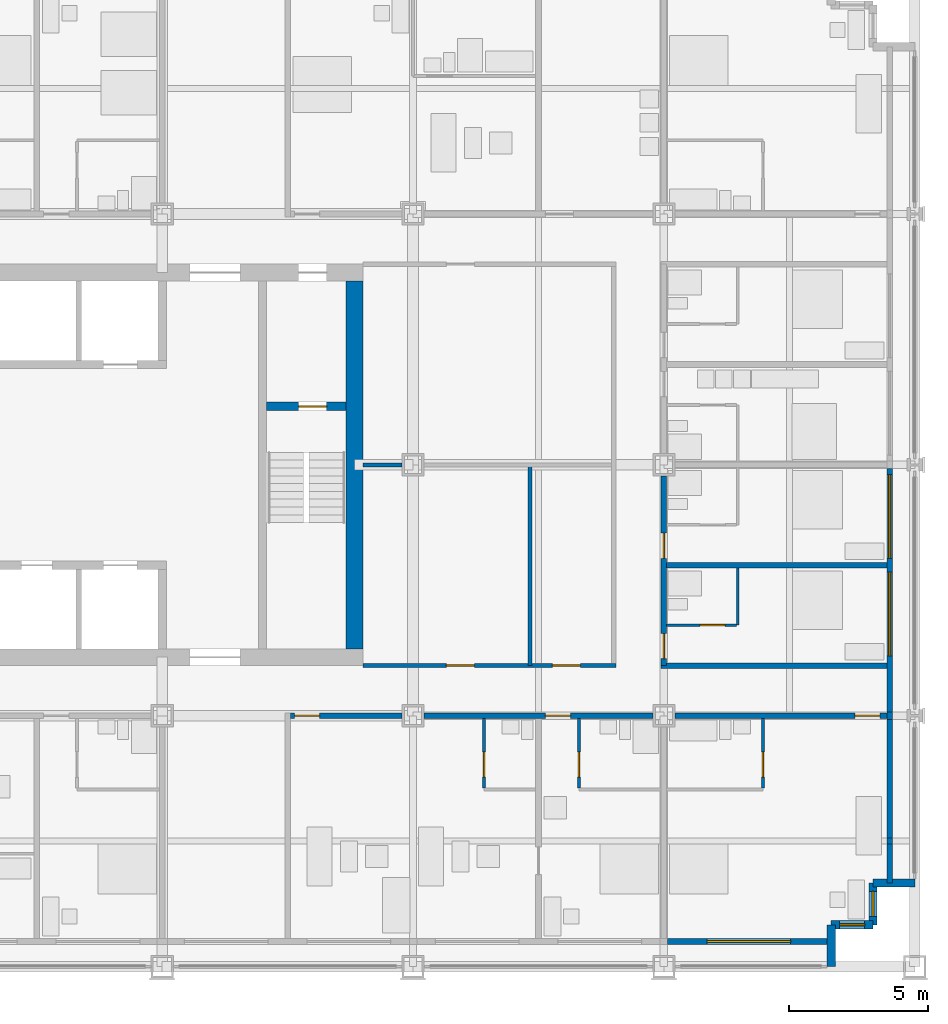
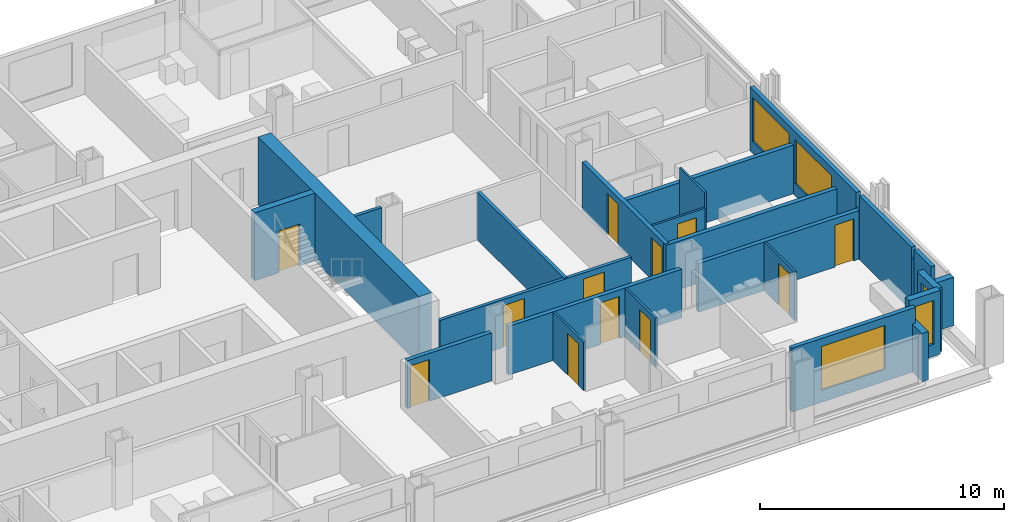
# One storey, part 13 of 18: 26 walls, 12 doors, 5 windows, 17 openings.
"""IFC4 building model written with IfcOpenShell, lengths in metres."""

import ifcopenshell
import ifcopenshell.guid

model = None  # the IFC model being written
_history = None  # IfcOwnerHistory: only IFC2X3 demands one
_inside = {}  # id of a spatial element -> (the spatial element, [elements in it])
_under = {}  # id of a project, library or spatial element -> (it, [spatial elements below it])
_declared = {}  # id of a project -> (the project, [libraries it declares])
_typed = {}  # id of a type object -> (the type object, [elements of that type])
_made_of = {}  # id of a material, layer set ... -> (it, [elements and type objects made of it])


def new_model(schema):
    """Start an empty IFC model of exactly this schema.

    Asked for "IFC4X3", IfcOpenShell would pick the latest addendum, in which some entities
    have other attributes; the version numbers below select the first issue.
    IFC2X3 requires an IfcOwnerHistory on every rooted entity: one is made here for all.
    """
    global model, _history
    if schema == "IFC4X3":
        model = ifcopenshell.file(schema_version=(4, 3, 0, 0))
    else:
        model = ifcopenshell.file(schema=schema)
    _inside.clear()
    _under.clear()
    _declared.clear()
    _typed.clear()
    _made_of.clear()
    _history = None
    if model.schema == "IFC2X3":
        org = make("IfcOrganization", Name="unknown")
        user = make(
            "IfcPersonAndOrganization",
            ThePerson=make("IfcPerson", FamilyName="unknown"),
            TheOrganization=org,
        )
        app = make(
            "IfcApplication",
            ApplicationDeveloper=org,
            Version="unknown",
            ApplicationFullName="unknown",
            ApplicationIdentifier="unknown",
        )
        _history = make(
            "IfcOwnerHistory",
            OwningUser=user,
            OwningApplication=app,
            ChangeAction="ADDED",
            CreationDate=0,
        )
    return model


def make(cls, **values):
    """One entity of the class cls with the attributes given. An attribute that is None is left unset."""
    return model.create_entity(
        cls, **{name: value for name, value in values.items() if value is not None}
    )


def rooted(cls, **values):
    """An entity with a GlobalId (a new one), such as an element, a storey or a relation."""
    return make(cls, GlobalId=ifcopenshell.guid.new(), OwnerHistory=_history, **values)


def si_unit(unit_type, name, prefix=None):
    """IfcSIUnit, for example si_unit("LENGTHUNIT", "METRE", prefix="MILLI")."""
    return make("IfcSIUnit", UnitType=unit_type, Prefix=prefix, Name=name)


def assignment(units):
    """IfcUnitAssignment: the units of a project."""
    return None if units is None else make("IfcUnitAssignment", Units=units)


def point(xyz):
    """IfcCartesianPoint."""
    return None if xyz is None else make("IfcCartesianPoint", Coordinates=xyz)


def direction(xyz):
    """IfcDirection."""
    return None if xyz is None else make("IfcDirection", DirectionRatios=xyz)


def frame(location, z_axis=None, x_axis=None):
    """IfcAxis2Placement3D, a coordinate frame: its origin and axes. An axis left out is left unset."""
    return make(
        "IfcAxis2Placement3D",
        Location=point(location),
        Axis=direction(z_axis),
        RefDirection=direction(x_axis),
    )


def frame_2d(location, x_axis=None):
    """IfcAxis2Placement2D, a coordinate frame in the plane: its origin and x axis."""
    return make(
        "IfcAxis2Placement2D", Location=point(location), RefDirection=direction(x_axis)
    )


def origin():
    """The frame at (0, 0, 0) with its axes left unset."""
    return frame((0.0, 0.0, 0.0))


def place(relative_to, where):
    """IfcLocalPlacement: puts the frame where relative to a parent placement (None: the world)."""
    return make(
        "IfcLocalPlacement", PlacementRelTo=relative_to, RelativePlacement=where
    )


def context(
    kind, dimensions, precision=None, world=None, true_north=None, identifier=None
):
    """IfcGeometricRepresentationContext, for example the 3D "Model" context."""
    return make(
        "IfcGeometricRepresentationContext",
        ContextIdentifier=identifier,
        ContextType=kind,
        CoordinateSpaceDimension=dimensions,
        Precision=precision,
        WorldCoordinateSystem=world,
        TrueNorth=true_north,
    )


def subcontext(parent, identifier, kind, view, scale=None):
    """IfcGeometricRepresentationSubContext, for example "Body" below "Model"."""
    return make(
        "IfcGeometricRepresentationSubContext",
        ContextIdentifier=identifier,
        ContextType=kind,
        ParentContext=parent,
        TargetScale=scale,
        TargetView=view,
    )


def project(units=None, contexts=None):
    """IfcProject with its units and contexts."""
    return rooted(
        "IfcProject",
        Name="project",
        RepresentationContexts=contexts,
        UnitsInContext=assignment(units),
    )


def spatial(cls, under=None, at=None, **own):
    """A site, building, storey or space (cls), placed at a placement, below another one or the project."""
    s = rooted(cls, ObjectPlacement=at, **own)
    if under is not None:
        _under.setdefault(under.id(), (under, []))[1].append(s)
    return s


def profile(cls, at=None, kind="AREA", **sizes):
    """A parametric profile (cls). Its sizes go by their IFC names, for example OverallWidth=200.0."""
    return make(cls, ProfileType=kind, Position=at, **sizes)


def rectangle(**sizes):
    """IfcRectangleProfileDef."""
    return profile("IfcRectangleProfileDef", **sizes)


def extrude(swept, where, along, depth):
    """IfcExtrudedAreaSolid: the profile swept, set in the frame where, extruded along a direction by depth."""
    return make(
        "IfcExtrudedAreaSolid",
        SweptArea=swept,
        Position=where,
        ExtrudedDirection=direction(along),
        Depth=depth,
    )


def shape(context_of_items, identifier, shape_type, items):
    """IfcShapeRepresentation: the items that make up one representation, for example the "Body"."""
    return make(
        "IfcShapeRepresentation",
        ContextOfItems=context_of_items,
        RepresentationIdentifier=identifier,
        RepresentationType=shape_type,
        Items=items,
    )


def material(Name=None, Category=None):
    """IfcMaterial."""
    return make("IfcMaterial", Name=Name, Category=Category)


def layer(
    of_material, thickness, ventilated=None, Name=None, Category=None, Priority=None
):
    """IfcMaterialLayer: one layer of a wall or slab, of a material (None: an air gap)."""
    return make(
        "IfcMaterialLayer",
        Material=of_material,
        LayerThickness=thickness,
        IsVentilated=ventilated,
        Name=Name,
        Category=Category,
        Priority=Priority,
    )


def layer_set(layers, Name=None):
    """IfcMaterialLayerSet."""
    return make("IfcMaterialLayerSet", MaterialLayers=layers, LayerSetName=Name)


def made_of(thing, what):
    """Note that an element or type object is made of a material, layer set ...; save() writes the relation."""
    if what is not None:
        _made_of.setdefault(what.id(), (what, []))[1].append(thing)
    return thing


def type_object(cls, material=None, **own):
    """A type object (cls), such as IfcWallType, which elements share."""
    return made_of(rooted(cls, **own), material)


def element(
    cls,
    number,
    at=None,
    inside=None,
    cuts=None,
    type_object=None,
    material=None,
    context=None,
    identifier="Body",
    shape_type=None,
    held_by="IfcProductDefinitionShape",
    body=None,
    shapes=None,
    **own,
):
    """One element of the class cls, such as IfcWall. Its Tag is "e" and its number.

    at: its placement. inside: the storey or other place that contains it. cuts: it is an
    opening in that element (IfcRelVoidsElement). A single representation is given by context,
    identifier, shape_type and body (its items); several are given by shapes. held_by: the class
    of the entity that holds the representations. save() writes the other relations.
    """
    e = rooted(cls, Tag="e%d" % number, ObjectPlacement=at, **own)
    if body is not None:
        shapes = [shape(context, identifier, shape_type, body)]
    if shapes is not None:
        e.Representation = make(held_by, Representations=shapes)
    if inside is not None:
        _inside.setdefault(inside.id(), (inside, []))[1].append(e)
    if cuts is not None:
        rooted(
            "IfcRelVoidsElement", RelatingBuildingElement=cuts, RelatedOpeningElement=e
        )
    if type_object is not None:
        _typed.setdefault(type_object.id(), (type_object, []))[1].append(e)
    return made_of(e, material)


def fill(opening, filler):
    """IfcRelFillsElement: the door or window that sits in an opening."""
    return rooted(
        "IfcRelFillsElement",
        RelatingOpeningElement=opening,
        RelatedBuildingElement=filler,
    )


def aggregate(whole, parts):
    """IfcRelAggregates: a whole, such as a stair, and the parts it consists of."""
    return rooted("IfcRelAggregates", RelatingObject=whole, RelatedObjects=parts)


def save(model, path):
    """Write the relations noted so far, then the file.

    IfcRelAggregates (storeys below a building ...), IfcRelContainedInSpatialStructure (elements
    in a storey), IfcRelDefinesByType, IfcRelAssociatesMaterial and IfcRelDeclares: one each for
    every whole, place, type object, material and project.
    """
    for whole, parts in _under.values():
        aggregate(whole, parts)
    for where, things in _inside.values():
        rooted(
            "IfcRelContainedInSpatialStructure",
            RelatedElements=things,
            RelatingStructure=where,
        )
    for kind, things in _typed.values():
        rooted("IfcRelDefinesByType", RelatedObjects=things, RelatingType=kind)
    for what, things in _made_of.values():
        rooted("IfcRelAssociatesMaterial", RelatedObjects=things, RelatingMaterial=what)
    for by, libraries in _declared.values():
        rooted("IfcRelDeclares", RelatingContext=by, RelatedDefinitions=libraries)
    model.write(path)


model = new_model("IFC4")

# Units and contexts
model_context = context("Model", 3, precision=1e-05, world=origin(), true_north=direction((0.0, 1.0)))
body_context = subcontext(model_context, "Body", "Model", "MODEL_VIEW")
ifc_project = project(units=[si_unit("LENGTHUNIT", "METRE"), si_unit("AREAUNIT", "SQUARE_METRE"), si_unit("VOLUMEUNIT", "CUBIC_METRE"), si_unit("PLANEANGLEUNIT", "RADIAN"), si_unit("MASSUNIT", "GRAM", prefix="KILO")], contexts=[model_context])

# Site, building, storey
site_placement = place(None, origin())
site = spatial("IfcSite", under=ifc_project, at=site_placement, CompositionType="ELEMENT")
building_placement = place(site_placement, origin())
building = spatial("IfcBuilding", under=site, at=building_placement, Name="Loomwork Tower", CompositionType="ELEMENT")
storey_placement = place(building_placement, frame((0.0, 0.0, 55.199951171875)))
storey = spatial("IfcBuildingStorey", under=building, at=storey_placement, Name="L13", CompositionType="ELEMENT", Elevation=55.199951171875)

# Wall, opening, door
ifc_material_1 = material(Name="Concrete 14000 psi (97 MPa)", Category="concrete")
ifc_layer_1 = layer(ifc_material_1, 0.300048828125)
ifc_layer_set_1 = layer_set([ifc_layer_1], Name="Core shear wall 300")
wall_type_1 = type_object("IfcWallType", Name="Core shear wall 300", PredefinedType="SHEAR", material=ifc_layer_set_1)
wall_1_placement = place(storey_placement, frame((30.75, 20.10009765625, 0.0), z_axis=(0.0, 0.0, 1.0), x_axis=(1.0, 0.0, 0.0)))
wall_1 = element("IfcWall", 1, at=wall_1_placement, inside=storey, type_object=wall_type_1, Name="Stair B north wall L13", PredefinedType="SHEAR", context=body_context, shape_type="SweptSolid", body=[
    extrude(rectangle(XDim=2.85009765625, YDim=0.300048828125, at=frame_2d((1.425048828125, 0.0))), origin(), (0.0, 0.0, 1.0), 3.400146484375),
])
opening_1_placement = place(wall_1_placement, frame((1.14990234375, 0.0, 0.0)))
opening_1 = element("IfcOpeningElement", 2, at=opening_1_placement, cuts=wall_1, Name="Opening D4", PredefinedType="OPENING", context=body_context, shape_type="SweptSolid", body=[
    extrude(rectangle(XDim=1.0, YDim=2.10009765625, at=frame_2d((0.5, 1.050048828125))), frame((0.0, 0.159912109375, 0.0), z_axis=(0.0, -1.0, 0.0), x_axis=(1.0, 0.0, 0.0)), (0.0, 0.0, 1.0), 0.320068359375),
])
ifc_material_2 = material(Name="Hollow metal door and frame")
door_type_1 = type_object("IfcDoorType", Name="Stair door 1000", OperationType="SINGLE_SWING_RIGHT", PredefinedType="DOOR", material=ifc_material_2)
door_1_placement = place(opening_1_placement, frame((1.0, 0.0, 0.0), z_axis=(0.0, 0.0, 1.0), x_axis=(-1.0, 0.0, 0.0)))
door_1 = element("IfcDoor", 3, at=door_1_placement, inside=storey, type_object=door_type_1, Name="Stair B door", OperationType="SINGLE_SWING_LEFT", OverallHeight=2.10009765625, OverallWidth=1.0, PredefinedType="DOOR", context=body_context, shape_type="SweptSolid", body=[
    extrude(rectangle(XDim=1.0, YDim=2.10009765625, at=frame_2d((0.5, 1.050048828125))), frame((0.0, 0.02490234375, 0.0), z_axis=(0.0, -1.0, 0.0), x_axis=(1.0, 0.0, 0.0)), (0.0, 0.0, 1.0), 0.050048828125),
])
fill(opening_1, door_1)

# Wall
ifc_material_3 = material(Name="Concrete 14000 psi (97 MPa)", Category="concrete")
ifc_layer_2 = layer(ifc_material_3, 0.60009765625)
ifc_layer_set_2 = layer_set([ifc_layer_2], Name="Core shear wall 600")
wall_type_2 = type_object("IfcWallType", Name="Core shear wall 600", PredefinedType="SHEAR", material=ifc_layer_set_2)
wall_2_placement = place(storey_placement, frame((33.89990234375, 11.39990234375, 0.0), z_axis=(0.0, 0.0, 1.0), x_axis=(0.0, 1.0, 0.0)))
element("IfcWall", 4, at=wall_2_placement, inside=storey, type_object=wall_type_2, Name="Core wall east L13", PredefinedType="SHEAR", context=body_context, shape_type="SweptSolid", body=[
    extrude(rectangle(XDim=13.2001953125, YDim=0.60009765625, at=frame_2d((6.60009765625, 0.0))), origin(), (0.0, 0.0, 1.0), 3.400146484375),
])

# Wall, opening, door
ifc_material_4 = material(Name="Gypsum board on steel studs, one-hour", Category="steel")
ifc_layer_3 = layer(ifc_material_4, 0.199951171875)
ifc_layer_set_3 = layer_set([ifc_layer_3], Name="Corridor wall 200")
wall_type_3 = type_object("IfcWallType", Name="Corridor wall 200", PredefinedType="PARTITIONING", material=ifc_layer_set_3)
wall_3_placement = place(storey_placement, frame((31.60009765625, 9.0, 0.0), z_axis=(0.0, 0.0, 1.0), x_axis=(1.0, 0.0, 0.0)))
wall_3 = element("IfcWall", 5, at=wall_3_placement, inside=storey, type_object=wall_type_3, Name="South corridor wall 4", PredefinedType="PARTITIONING", context=body_context, shape_type="SweptSolid", body=[
    extrude(rectangle(XDim=4.0, YDim=0.199951171875, at=frame_2d((2.0, 0.0))), origin(), (0.0, 0.0, 1.0), 2.405029296875),
])
opening_2_placement = place(wall_3_placement, frame((0.14990234375, 0.0, 0.0)))
opening_2 = element("IfcOpeningElement", 6, at=opening_2_placement, cuts=wall_3, Name="Opening D1", PredefinedType="OPENING", context=body_context, shape_type="SweptSolid", body=[
    extrude(rectangle(XDim=0.89990234375, YDim=2.10009765625, at=frame_2d((0.449951171875, 1.050048828125))), frame((0.0, 0.10986328125, 0.0), z_axis=(0.0, -1.0, 0.0), x_axis=(1.0, 0.0, 0.0)), (0.0, 0.0, 1.0), 0.219970703125),
])
ifc_material_5 = material(Name="Hollow metal door and frame")
door_type_2 = type_object("IfcDoorType", Name="Guest room entry door 900", OperationType="SINGLE_SWING_LEFT", PredefinedType="DOOR", material=ifc_material_5)
door_2_placement = place(opening_2_placement, frame((0.89990234375, 0.0, 0.0), z_axis=(0.0, 0.0, 1.0), x_axis=(-1.0, 0.0, 0.0)))
door_2 = element("IfcDoor", 7, at=door_2_placement, inside=storey, type_object=door_type_2, Name="Guest room entry door L13 5", OperationType="SINGLE_SWING_RIGHT", OverallHeight=2.10009765625, OverallWidth=0.89990234375, PredefinedType="DOOR", context=body_context, shape_type="SweptSolid", body=[
    extrude(rectangle(XDim=0.89990234375, YDim=2.10009765625, at=frame_2d((0.449951171875, 1.050048828125))), frame((0.0, 0.02490234375, 0.0), z_axis=(0.0, -1.0, 0.0), x_axis=(1.0, 0.0, 0.0)), (0.0, 0.0, 1.0), 0.050048828125),
])
fill(opening_2, door_2)

wall_4_placement = place(storey_placement, frame((36.39990234375, 9.0, 0.0), z_axis=(0.0, 0.0, 1.0), x_axis=(1.0, 0.0, 0.0)))
wall_4 = element("IfcWall", 8, at=wall_4_placement, inside=storey, type_object=wall_type_3, Name="South corridor wall 5", PredefinedType="PARTITIONING", context=body_context, shape_type="SweptSolid", body=[
    extrude(rectangle(XDim=8.2001953125, YDim=0.199951171875, at=frame_2d((4.10009765625, 0.0))), origin(), (0.0, 0.0, 1.0), 2.43798828125),
])
opening_3_placement = place(wall_4_placement, frame((4.35009765625, 0.0, 0.0)))
opening_3 = element("IfcOpeningElement", 9, at=opening_3_placement, cuts=wall_4, Name="Opening D1", PredefinedType="OPENING", context=body_context, shape_type="SweptSolid", body=[
    extrude(rectangle(XDim=0.89990234375, YDim=2.10009765625, at=frame_2d((0.449951171875, 1.050048828125))), frame((0.0, 0.10986328125, 0.0), z_axis=(0.0, -1.0, 0.0), x_axis=(1.0, 0.0, 0.0)), (0.0, 0.0, 1.0), 0.219970703125),
])
door_3_placement = place(opening_3_placement, frame((0.89990234375, 0.0, 0.0), z_axis=(0.0, 0.0, 1.0), x_axis=(-1.0, 0.0, 0.0)))
door_3 = element("IfcDoor", 10, at=door_3_placement, inside=storey, type_object=door_type_2, Name="Guest room entry door L13 6", OperationType="SINGLE_SWING_RIGHT", OverallHeight=2.10009765625, OverallWidth=0.89990234375, PredefinedType="DOOR", context=body_context, shape_type="SweptSolid", body=[
    extrude(rectangle(XDim=0.89990234375, YDim=2.10009765625, at=frame_2d((0.449951171875, 1.050048828125))), frame((0.0, 0.02490234375, 0.0), z_axis=(0.0, -1.0, 0.0), x_axis=(1.0, 0.0, 0.0)), (0.0, 0.0, 1.0), 0.050048828125),
])
fill(opening_3, door_3)

wall_5_placement = place(storey_placement, frame((45.39990234375, 9.0, 0.0), z_axis=(0.0, 0.0, 1.0), x_axis=(1.0, 0.0, 0.0)))
wall_5 = element("IfcWall", 11, at=wall_5_placement, inside=storey, type_object=wall_type_3, Name="South corridor wall 6", PredefinedType="PARTITIONING", context=body_context, shape_type="SweptSolid", body=[
    extrude(rectangle(XDim=7.60009765625, YDim=0.199951171875, at=frame_2d((3.800048828125, 0.0))), origin(), (0.0, 0.0, 1.0), 2.43798828125),
])
opening_4_placement = place(wall_5_placement, frame((6.449951171875, 0.0, 0.0)))
opening_4 = element("IfcOpeningElement", 12, at=opening_4_placement, cuts=wall_5, Name="Opening D1", PredefinedType="OPENING", context=body_context, shape_type="SweptSolid", body=[
    extrude(rectangle(XDim=0.89990234375, YDim=2.10009765625, at=frame_2d((0.449951171875, 1.050048828125))), frame((0.0, 0.10986328125, 0.0), z_axis=(0.0, -1.0, 0.0), x_axis=(1.0, 0.0, 0.0)), (0.0, 0.0, 1.0), 0.219970703125),
])
door_4_placement = place(opening_4_placement, frame((0.89990234375, 0.0, 0.0), z_axis=(0.0, 0.0, 1.0), x_axis=(-1.0, 0.0, 0.0)))
door_4 = element("IfcDoor", 13, at=door_4_placement, inside=storey, type_object=door_type_2, Name="Guest room entry door L13 7", OperationType="SINGLE_SWING_LEFT", OverallHeight=2.10009765625, OverallWidth=0.89990234375, PredefinedType="DOOR", context=body_context, shape_type="SweptSolid", body=[
    extrude(rectangle(XDim=0.89990234375, YDim=2.10009765625, at=frame_2d((0.449951171875, 1.050048828125))), frame((0.0, 0.02490234375, 0.0), z_axis=(0.0, -1.0, 0.0), x_axis=(1.0, 0.0, 0.0)), (0.0, 0.0, 1.0), 0.050048828125),
])
fill(opening_4, door_4)

# Wall, openings, doors
wall_6_placement = place(storey_placement, frame((45.0, 10.800048828125, 0.0), z_axis=(0.0, 0.0, 1.0), x_axis=(0.0, 1.0, 0.0)))
wall_6 = element("IfcWall", 14, at=wall_6_placement, inside=storey, type_object=wall_type_3, Name="East corridor wall 1", PredefinedType="PARTITIONING", context=body_context, shape_type="SweptSolid", body=[
    extrude(rectangle(XDim=6.800048828125, YDim=0.199951171875, at=frame_2d((3.39990234375, 0.0))), origin(), (0.0, 0.0, 1.0), 2.43798828125),
])
opening_5_placement = place(wall_6_placement, frame((0.25, 0.0, 0.0)))
opening_5 = element("IfcOpeningElement", 15, at=opening_5_placement, cuts=wall_6, Name="Opening D1", PredefinedType="OPENING", context=body_context, shape_type="SweptSolid", body=[
    extrude(rectangle(XDim=0.89990234375, YDim=2.10009765625, at=frame_2d((0.449951171875, 1.050048828125))), frame((0.0, 0.10986328125, 0.0), z_axis=(0.0, -1.0, 0.0), x_axis=(1.0, 0.0, 0.0)), (0.0, 0.0, 1.0), 0.219970703125),
])
opening_6_placement = place(wall_6_placement, frame((3.85009765625, 0.0, 0.0)))
opening_6 = element("IfcOpeningElement", 16, at=opening_6_placement, cuts=wall_6, Name="Opening D1", PredefinedType="OPENING", context=body_context, shape_type="SweptSolid", body=[
    extrude(rectangle(XDim=0.89990234375, YDim=2.10009765625, at=frame_2d((0.449951171875, 1.050048828125))), frame((0.0, 0.10986328125, 0.0), z_axis=(0.0, -1.0, 0.0), x_axis=(1.0, 0.0, 0.0)), (0.0, 0.0, 1.0), 0.219970703125),
])
door_5_placement = place(opening_5_placement, frame((0.89990234375, 0.0, 0.0), z_axis=(0.0, 0.0, 1.0), x_axis=(-1.0, 0.0, 0.0)))
door_5 = element("IfcDoor", 17, at=door_5_placement, inside=storey, type_object=door_type_2, Name="Guest room entry door L13 19", OperationType="SINGLE_SWING_RIGHT", OverallHeight=2.10009765625, OverallWidth=0.89990234375, PredefinedType="DOOR", context=body_context, shape_type="SweptSolid", body=[
    extrude(rectangle(XDim=0.89990234375, YDim=2.10009765625, at=frame_2d((0.449951171875, 1.050048828125))), frame((0.0, 0.02490234375, 0.0), z_axis=(0.0, -1.0, 0.0), x_axis=(1.0, 0.0, 0.0)), (0.0, 0.0, 1.0), 0.050048828125),
])
fill(opening_5, door_5)
door_6_placement = place(opening_6_placement, frame((0.89990234375, 0.0, 0.0), z_axis=(0.0, 0.0, 1.0), x_axis=(-1.0, 0.0, 0.0)))
door_6 = element("IfcDoor", 18, at=door_6_placement, inside=storey, type_object=door_type_2, Name="Guest room entry door L13 20", OperationType="SINGLE_SWING_RIGHT", OverallHeight=2.10009765625, OverallWidth=0.89990234375, PredefinedType="DOOR", context=body_context, shape_type="SweptSolid", body=[
    extrude(rectangle(XDim=0.89990234375, YDim=2.10009765625, at=frame_2d((0.449951171875, 1.050048828125))), frame((0.0, 0.02490234375, 0.0), z_axis=(0.0, -1.0, 0.0), x_axis=(1.0, 0.0, 0.0)), (0.0, 0.0, 1.0), 0.050048828125),
])
fill(opening_6, door_6)

# Wall
wall_7_placement = place(storey_placement, frame((44.89990234375, 10.800048828125, 0.0), z_axis=(0.0, 0.0, 1.0), x_axis=(1.0, 0.0, 0.0)))
element("IfcWall", 19, at=wall_7_placement, inside=storey, type_object=wall_type_3, Name="East band end wall S", PredefinedType="PARTITIONING", context=body_context, shape_type="SweptSolid", body=[
    extrude(rectangle(XDim=8.10009765625, YDim=0.199951171875, at=frame_2d((4.050048828125, 0.0))), origin(), (0.0, 0.0, 1.0), 2.43798828125),
])

# Wall, opening, door
ifc_material_6 = material(Name="Cement board on steel studs", Category="steel")
ifc_layer_4 = layer(ifc_material_6, 0.10009765625)
ifc_layer_set_4 = layer_set([ifc_layer_4], Name="En-suite partition 100")
wall_type_4 = type_object("IfcWallType", Name="En-suite partition 100", PredefinedType="PARTITIONING", material=ifc_layer_set_4)
wall_8_placement = place(storey_placement, frame((38.550048828125, 8.89990234375, 0.0), z_axis=(0.0, 0.0, 1.0), x_axis=(0.0, -1.0, 0.0)))
wall_8 = element("IfcWall", 20, at=wall_8_placement, inside=storey, type_object=wall_type_4, Name="En-suite side wall L13 room 5", PredefinedType="PARTITIONING", context=body_context, shape_type="SweptSolid", body=[
    extrude(rectangle(XDim=2.5, YDim=0.10009765625, at=frame_2d((1.25, 0.0))), origin(), (0.0, 0.0, 1.0), 2.43798828125),
])
opening_7_placement = place(wall_8_placement, frame((1.199951171875, 0.0, 0.0)))
opening_7 = element("IfcOpeningElement", 21, at=opening_7_placement, cuts=wall_8, Name="Opening D2", PredefinedType="OPENING", context=body_context, shape_type="SweptSolid", body=[
    extrude(rectangle(XDim=0.89990234375, YDim=2.10009765625, at=frame_2d((0.449951171875, 1.050048828125))), frame((0.0, 0.06005859375, 0.0), z_axis=(0.0, -1.0, 0.0), x_axis=(1.0, 0.0, 0.0)), (0.0, 0.0, 1.0), 0.1201171875),
])
ifc_material_7 = material(Name="Hollow metal door and frame")
door_type_3 = type_object("IfcDoorType", Name="En-suite door 900", OperationType="SINGLE_SWING_LEFT", PredefinedType="DOOR", material=ifc_material_7)
door_7_placement = place(opening_7_placement, origin())
door_7 = element("IfcDoor", 22, at=door_7_placement, inside=storey, type_object=door_type_3, Name="Suite powder room door room 5", OperationType="SINGLE_SWING_RIGHT", OverallHeight=2.10009765625, OverallWidth=0.89990234375, PredefinedType="DOOR", context=body_context, shape_type="SweptSolid", body=[
    extrude(rectangle(XDim=0.89990234375, YDim=2.10009765625, at=frame_2d((0.449951171875, 1.050048828125))), frame((0.0, 0.02490234375, 0.0), z_axis=(0.0, -1.0, 0.0), x_axis=(1.0, 0.0, 0.0)), (0.0, 0.0, 1.0), 0.050048828125),
])
fill(opening_7, door_7)

wall_9_placement = place(storey_placement, frame((41.949951171875, 8.89990234375, 0.0), z_axis=(0.0, 0.0, 1.0), x_axis=(0.0, -1.0, 0.0)))
wall_9 = element("IfcWall", 23, at=wall_9_placement, inside=storey, type_object=wall_type_4, Name="En-suite side wall L13 room 6", PredefinedType="PARTITIONING", context=body_context, shape_type="SweptSolid", body=[
    extrude(rectangle(XDim=2.5, YDim=0.10009765625, at=frame_2d((1.25, 0.0))), origin(), (0.0, 0.0, 1.0), 2.43798828125),
])
opening_8_placement = place(wall_9_placement, frame((1.199951171875, 0.0, 0.0)))
opening_8 = element("IfcOpeningElement", 24, at=opening_8_placement, cuts=wall_9, Name="Opening D2", PredefinedType="OPENING", context=body_context, shape_type="SweptSolid", body=[
    extrude(rectangle(XDim=0.89990234375, YDim=2.10009765625, at=frame_2d((0.449951171875, 1.050048828125))), frame((0.0, 0.06005859375, 0.0), z_axis=(0.0, -1.0, 0.0), x_axis=(1.0, 0.0, 0.0)), (0.0, 0.0, 1.0), 0.1201171875),
])
door_8_placement = place(opening_8_placement, origin())
door_8 = element("IfcDoor", 25, at=door_8_placement, inside=storey, type_object=door_type_3, Name="En-suite door room 6", OperationType="SINGLE_SWING_RIGHT", OverallHeight=2.10009765625, OverallWidth=0.89990234375, PredefinedType="DOOR", context=body_context, shape_type="SweptSolid", body=[
    extrude(rectangle(XDim=0.89990234375, YDim=2.10009765625, at=frame_2d((0.449951171875, 1.050048828125))), frame((0.0, 0.02490234375, 0.0), z_axis=(0.0, -1.0, 0.0), x_axis=(1.0, 0.0, 0.0)), (0.0, 0.0, 1.0), 0.050048828125),
])
fill(opening_8, door_8)

wall_10_placement = place(storey_placement, frame((48.550048828125, 8.89990234375, 0.0), z_axis=(0.0, 0.0, 1.0), x_axis=(0.0, -1.0, 0.0)))
wall_10 = element("IfcWall", 26, at=wall_10_placement, inside=storey, type_object=wall_type_4, Name="En-suite side wall L13 room 7", PredefinedType="PARTITIONING", context=body_context, shape_type="SweptSolid", body=[
    extrude(rectangle(XDim=2.5, YDim=0.10009765625, at=frame_2d((1.25, 0.0))), origin(), (0.0, 0.0, 1.0), 2.43798828125),
])
opening_9_placement = place(wall_10_placement, frame((1.199951171875, 0.0, 0.0)))
opening_9 = element("IfcOpeningElement", 27, at=opening_9_placement, cuts=wall_10, Name="Opening D2", PredefinedType="OPENING", context=body_context, shape_type="SweptSolid", body=[
    extrude(rectangle(XDim=0.89990234375, YDim=2.10009765625, at=frame_2d((0.449951171875, 1.050048828125))), frame((0.0, 0.06005859375, 0.0), z_axis=(0.0, -1.0, 0.0), x_axis=(1.0, 0.0, 0.0)), (0.0, 0.0, 1.0), 0.1201171875),
])
door_9_placement = place(opening_9_placement, frame((0.89990234375, 0.0, 0.0), z_axis=(0.0, 0.0, 1.0), x_axis=(-1.0, 0.0, 0.0)))
door_9 = element("IfcDoor", 28, at=door_9_placement, inside=storey, type_object=door_type_3, Name="En-suite door room 7", OperationType="SINGLE_SWING_LEFT", OverallHeight=2.10009765625, OverallWidth=0.89990234375, PredefinedType="DOOR", context=body_context, shape_type="SweptSolid", body=[
    extrude(rectangle(XDim=0.89990234375, YDim=2.10009765625, at=frame_2d((0.449951171875, 1.050048828125))), frame((0.0, 0.02490234375, 0.0), z_axis=(0.0, -1.0, 0.0), x_axis=(1.0, 0.0, 0.0)), (0.0, 0.0, 1.0), 0.050048828125),
])
fill(opening_9, door_9)

# Wall
wall_11_placement = place(storey_placement, frame((47.64990234375, 12.25, 0.0), z_axis=(0.0, 0.0, 1.0), x_axis=(0.0, 1.0, 0.0)))
element("IfcWall", 29, at=wall_11_placement, inside=storey, type_object=wall_type_4, Name="En-suite wall L13 room 19", PredefinedType="PARTITIONING", context=body_context, shape_type="SweptSolid", body=[
    extrude(rectangle(XDim=2.050048828125, YDim=0.10009765625, at=frame_2d((1.02490234375, 0.0))), origin(), (0.0, 0.0, 1.0), 3.199951171875),
])

# Wall, opening, door
wall_12_placement = place(storey_placement, frame((45.10009765625, 12.25, 0.0), z_axis=(0.0, 0.0, 1.0), x_axis=(1.0, 0.0, 0.0)))
wall_12 = element("IfcWall", 30, at=wall_12_placement, inside=storey, type_object=wall_type_4, Name="En-suite side wall L13 room 19", PredefinedType="PARTITIONING", context=body_context, shape_type="SweptSolid", body=[
    extrude(rectangle(XDim=2.5, YDim=0.10009765625, at=frame_2d((1.25, 0.0))), origin(), (0.0, 0.0, 1.0), 2.43798828125),
])
opening_10_placement = place(wall_12_placement, frame((1.199951171875, 0.0, 0.0)))
opening_10 = element("IfcOpeningElement", 31, at=opening_10_placement, cuts=wall_12, Name="Opening D2", PredefinedType="OPENING", context=body_context, shape_type="SweptSolid", body=[
    extrude(rectangle(XDim=0.89990234375, YDim=2.10009765625, at=frame_2d((0.449951171875, 1.050048828125))), frame((0.0, 0.06005859375, 0.0), z_axis=(0.0, -1.0, 0.0), x_axis=(1.0, 0.0, 0.0)), (0.0, 0.0, 1.0), 0.1201171875),
])
door_10_placement = place(opening_10_placement, origin())
door_10 = element("IfcDoor", 32, at=door_10_placement, inside=storey, type_object=door_type_3, Name="En-suite door room 19", OperationType="SINGLE_SWING_RIGHT", OverallHeight=2.10009765625, OverallWidth=0.89990234375, PredefinedType="DOOR", context=body_context, shape_type="SweptSolid", body=[
    extrude(rectangle(XDim=0.89990234375, YDim=2.10009765625, at=frame_2d((0.449951171875, 1.050048828125))), frame((0.0, 0.02490234375, 0.0), z_axis=(0.0, -1.0, 0.0), x_axis=(1.0, 0.0, 0.0)), (0.0, 0.0, 1.0), 0.050048828125),
])
fill(opening_10, door_10)

# Walls
ifc_material_8 = material(Name="Gypsum board on steel studs, acoustic", Category="steel")
ifc_layer_5 = layer(ifc_material_8, 0.199951171875)
ifc_layer_set_5 = layer_set([ifc_layer_5], Name="Guest room party wall 200")
wall_type_5 = type_object("IfcWallType", Name="Guest room party wall 200", PredefinedType="PARTITIONING", material=ifc_layer_set_5)
wall_13_placement = place(storey_placement, frame((45.10009765625, 14.39990234375, 0.0), z_axis=(0.0, 0.0, 1.0), x_axis=(1.0, 0.0, 0.0)))
element("IfcWall", 33, at=wall_13_placement, inside=storey, type_object=wall_type_5, Name="Guest room party wall E 14.4", PredefinedType="PARTITIONING", context=body_context, shape_type="SweptSolid", body=[
    extrude(rectangle(XDim=7.89990234375, YDim=0.199951171875, at=frame_2d((3.949951171875, 0.0))), origin(), (0.0, 0.0, 1.0), 2.43798828125),
])
ifc_material_9 = material(Name="Insulated steel stud wall with gypsum lining", Category="steel")
ifc_layer_6 = layer(ifc_material_9, 0.199951171875)
ifc_layer_set_6 = layer_set([ifc_layer_6], Name="Inner skin wall 200")
wall_type_6 = type_object("IfcWallType", Name="Inner skin wall 200", PredefinedType="SOLIDWALL", material=ifc_layer_set_6)
wall_14_placement = place(storey_placement, frame((53.10009765625, 3.0, 0.0), z_axis=(0.0, 0.0, 1.0), x_axis=(0.0, 1.0, 0.0)))
element("IfcWall", 34, at=wall_14_placement, inside=storey, type_object=wall_type_6, Name="Inner skin wall E", PredefinedType="SOLIDWALL", context=body_context, shape_type="SweptSolid", body=[
    extrude(rectangle(XDim=1.392578125, YDim=0.199951171875, at=frame_2d((0.6962890625, 0.0))), origin(), (0.0, 0.0, 1.0), 3.199951171875),
])

# Wall, opening, window
wall_15_placement = place(storey_placement, frame((45.135498046875, 0.89990234375, 0.0), z_axis=(0.0, 0.0, 1.0), x_axis=(1.0, 0.0, 0.0)))
wall_15 = element("IfcWall", 35, at=wall_15_placement, inside=storey, type_object=wall_type_6, Name="Inner skin wall S bay 11", PredefinedType="SOLIDWALL", context=body_context, shape_type="SweptSolid", body=[
    extrude(rectangle(XDim=5.864501953125, YDim=0.199951171875, at=frame_2d((2.93212890625, 0.0))), origin(), (0.0, 0.0, 1.0), 3.199951171875),
])
opening_11_placement = place(wall_15_placement, frame((1.41455078125, 0.0, 0.60009765625)))
opening_11 = element("IfcOpeningElement", 36, at=opening_11_placement, cuts=wall_15, Name="Opening CH1", PredefinedType="OPENING", context=body_context, shape_type="SweptSolid", body=[
    extrude(rectangle(XDim=3.0, YDim=2.199951171875, at=frame_2d((1.5, 1.10009765625))), frame((0.0, 0.10986328125, 0.0), z_axis=(0.0, -1.0, 0.0), x_axis=(1.0, 0.0, 0.0)), (0.0, 0.0, 1.0), 0.219970703125),
])
ifc_material_10 = material(Name="Aluminium frame with clear insulated glass", Category="aluminium")
window_type_1 = type_object("IfcWindowType", Name="Chicago window 3000", PartitioningType="TRIPLE_PANEL_VERTICAL", PredefinedType="WINDOW", material=ifc_material_10)
window_1_placement = place(opening_11_placement, origin())
window_1 = element("IfcWindow", 37, at=window_1_placement, inside=storey, type_object=window_type_1, Name="Chicago window L13 bay 6", OverallHeight=2.199951171875, OverallWidth=3.0, PartitioningType="TRIPLE_PANEL_VERTICAL", PredefinedType="WINDOW", context=body_context, shape_type="SweptSolid", body=[
    extrude(rectangle(XDim=3.0, YDim=2.199951171875, at=frame_2d((1.5, 1.10009765625))), frame((0.0, 0.030029296875, 0.0), z_axis=(0.0, -1.0, 0.0), x_axis=(1.0, 0.0, 0.0)), (0.0, 0.0, 1.0), 0.06005859375),
])
fill(opening_11, window_1)

# Walls
wall_16_placement = place(storey_placement, frame((53.10009765625, 4.392578125, 0.0), z_axis=(0.0, 0.0, 1.0), x_axis=(0.0, 1.0, 0.0)))
element("IfcWall", 38, at=wall_16_placement, inside=storey, type_object=wall_type_6, Name="Inner skin wall E bay 2", PredefinedType="SOLIDWALL", context=body_context, shape_type="SweptSolid", body=[
    extrude(rectangle(XDim=0.21484375, YDim=0.199951171875, at=frame_2d((0.107421875, 0.0))), origin(), (0.0, 0.0, 1.0), 2.6611328125),
])
wall_17_placement = place(storey_placement, frame((53.10009765625, 4.607421875, 0.0), z_axis=(0.0, 0.0, 1.0), x_axis=(0.0, 1.0, 0.0)))
element("IfcWall", 39, at=wall_17_placement, inside=storey, type_object=wall_type_6, Name="Inner skin wall E bay 3", PredefinedType="SOLIDWALL", context=body_context, shape_type="SweptSolid", body=[
    extrude(rectangle(XDim=4.25732421875, YDim=0.199951171875, at=frame_2d((2.128662109375, 0.0))), origin(), (0.0, 0.0, 1.0), 3.199951171875),
])
wall_18_placement = place(storey_placement, frame((53.10009765625, 8.86474609375, 0.0), z_axis=(0.0, 0.0, 1.0), x_axis=(0.0, 1.0, 0.0)))
element("IfcWall", 40, at=wall_18_placement, inside=storey, type_object=wall_type_6, Name="Inner skin wall E bay 4", PredefinedType="SOLIDWALL", context=body_context, shape_type="SweptSolid", body=[
    extrude(rectangle(XDim=0.2705078125, YDim=0.199951171875, at=frame_2d((0.13525390625, 0.0))), origin(), (0.0, 0.0, 1.0), 2.43798828125),
])

# Wall, openings, windows
wall_19_placement = place(storey_placement, frame((53.10009765625, 9.13525390625, 0.0), z_axis=(0.0, 0.0, 1.0), x_axis=(0.0, 1.0, 0.0)))
wall_19 = element("IfcWall", 41, at=wall_19_placement, inside=storey, type_object=wall_type_6, Name="Inner skin wall E bay 5", PredefinedType="SOLIDWALL", context=body_context, shape_type="SweptSolid", body=[
    extrude(rectangle(XDim=8.729248046875, YDim=0.199951171875, at=frame_2d((4.36474609375, 0.0))), origin(), (0.0, 0.0, 1.0), 3.199951171875),
])
opening_12_placement = place(wall_19_placement, frame((2.0146484375, 0.0, 0.60009765625)))
opening_12 = element("IfcOpeningElement", 42, at=opening_12_placement, cuts=wall_19, Name="Opening CH1", PredefinedType="OPENING", context=body_context, shape_type="SweptSolid", body=[
    extrude(rectangle(XDim=3.0, YDim=2.199951171875, at=frame_2d((1.5, 1.10009765625))), frame((0.0, 0.10986328125, 0.0), z_axis=(0.0, -1.0, 0.0), x_axis=(1.0, 0.0, 0.0)), (0.0, 0.0, 1.0), 0.219970703125),
])
opening_13_placement = place(wall_19_placement, frame((5.5146484375, 0.0, 0.60009765625)))
opening_13 = element("IfcOpeningElement", 43, at=opening_13_placement, cuts=wall_19, Name="Opening CH1", PredefinedType="OPENING", context=body_context, shape_type="SweptSolid", body=[
    extrude(rectangle(XDim=3.0, YDim=2.199951171875, at=frame_2d((1.5, 1.10009765625))), frame((0.0, 0.10986328125, 0.0), z_axis=(0.0, -1.0, 0.0), x_axis=(1.0, 0.0, 0.0)), (0.0, 0.0, 1.0), 0.219970703125),
])
window_2_placement = place(opening_12_placement, origin())
window_2 = element("IfcWindow", 44, at=window_2_placement, inside=storey, type_object=window_type_1, Name="Chicago window L13 bay 15", OverallHeight=2.199951171875, OverallWidth=3.0, PartitioningType="TRIPLE_PANEL_VERTICAL", PredefinedType="WINDOW", context=body_context, shape_type="SweptSolid", body=[
    extrude(rectangle(XDim=3.0, YDim=2.199951171875, at=frame_2d((1.5, 1.10009765625))), frame((0.0, 0.030029296875, 0.0), z_axis=(0.0, -1.0, 0.0), x_axis=(1.0, 0.0, 0.0)), (0.0, 0.0, 1.0), 0.06005859375),
])
fill(opening_12, window_2)
window_3_placement = place(opening_13_placement, origin())
window_3 = element("IfcWindow", 45, at=window_3_placement, inside=storey, type_object=window_type_1, Name="Chicago window L13 bay 15", OverallHeight=2.199951171875, OverallWidth=3.0, PartitioningType="TRIPLE_PANEL_VERTICAL", PredefinedType="WINDOW", context=body_context, shape_type="SweptSolid", body=[
    extrude(rectangle(XDim=3.0, YDim=2.199951171875, at=frame_2d((1.5, 1.10009765625))), frame((0.0, 0.030029296875, 0.0), z_axis=(0.0, -1.0, 0.0), x_axis=(1.0, 0.0, 0.0)), (0.0, 0.0, 1.0), 0.06005859375),
])
fill(opening_13, window_3)

# Wall
ifc_material_11 = material(Name="Limestone on concrete masonry", Category="masonry")
ifc_layer_7 = layer(ifc_material_11, 0.300048828125)
ifc_layer_set_7 = layer_set([ifc_layer_7], Name="Limestone corner wall 300")
wall_type_7 = type_object("IfcWallType", Name="Limestone corner wall 300", PredefinedType="SOLIDWALL", material=ifc_layer_set_7)
wall_20_placement = place(storey_placement, frame((51.0, 0.0, 0.0), z_axis=(0.0, 0.0, 1.0), x_axis=(0.0, 1.0, 0.0)))
element("IfcWall", 46, at=wall_20_placement, inside=storey, type_object=wall_type_7, Name="Stone corner wall SE 1", PredefinedType="SOLIDWALL", context=body_context, shape_type="SweptSolid", body=[
    extrude(rectangle(XDim=1.5, YDim=0.300048828125, at=frame_2d((0.75, 0.0))), origin(), (0.0, 0.0, 1.0), 2.420166015625),
])

# Wall, opening, window
wall_21_placement = place(storey_placement, frame((51.0, 1.5, 0.0), z_axis=(0.0, 0.0, 1.0), x_axis=(1.0, 0.0, 0.0)))
wall_21 = element("IfcWall", 47, at=wall_21_placement, inside=storey, type_object=wall_type_7, Name="Stone corner wall SE 2", PredefinedType="SOLIDWALL", context=body_context, shape_type="SweptSolid", body=[
    extrude(rectangle(XDim=1.5, YDim=0.300048828125, at=frame_2d((0.75, 0.0))), origin(), (0.0, 0.0, 1.0), 3.199951171875),
])
opening_14_placement = place(wall_21_placement, frame((0.300048828125, 0.0, 0.60009765625)))
opening_14 = element("IfcOpeningElement", 48, at=opening_14_placement, cuts=wall_21, Name="Opening CH2", PredefinedType="OPENING", context=body_context, shape_type="SweptSolid", body=[
    extrude(rectangle(XDim=0.89990234375, YDim=2.199951171875, at=frame_2d((0.449951171875, 1.10009765625))), frame((0.0, 0.159912109375, 0.0), z_axis=(0.0, -1.0, 0.0), x_axis=(1.0, 0.0, 0.0)), (0.0, 0.0, 1.0), 0.320068359375),
])
ifc_material_12 = material(Name="Aluminium frame with clear insulated glass", Category="aluminium")
window_type_2 = type_object("IfcWindowType", Name="Corner window 900", PartitioningType="SINGLE_PANEL", PredefinedType="WINDOW", material=ifc_material_12)
window_4_placement = place(opening_14_placement, origin())
window_4 = element("IfcWindow", 49, at=window_4_placement, inside=storey, type_object=window_type_2, Name="Corner window SE", OverallHeight=2.199951171875, OverallWidth=0.89990234375, PartitioningType="SINGLE_PANEL", PredefinedType="WINDOW", context=body_context, shape_type="SweptSolid", body=[
    extrude(rectangle(XDim=0.89990234375, YDim=2.199951171875, at=frame_2d((0.449951171875, 1.10009765625))), frame((0.0, 0.030029296875, 0.0), z_axis=(0.0, -1.0, 0.0), x_axis=(1.0, 0.0, 0.0)), (0.0, 0.0, 1.0), 0.06005859375),
])
fill(opening_14, window_4)

wall_22_placement = place(storey_placement, frame((52.5, 1.5, 0.0), z_axis=(0.0, 0.0, 1.0), x_axis=(0.0, 1.0, 0.0)))
wall_22 = element("IfcWall", 50, at=wall_22_placement, inside=storey, type_object=wall_type_7, Name="Stone corner wall SE 3", PredefinedType="SOLIDWALL", context=body_context, shape_type="SweptSolid", body=[
    extrude(rectangle(XDim=1.5, YDim=0.300048828125, at=frame_2d((0.75, 0.0))), origin(), (0.0, 0.0, 1.0), 3.199951171875),
])
opening_15_placement = place(wall_22_placement, frame((0.300048828125, 0.0, 0.60009765625)))
opening_15 = element("IfcOpeningElement", 51, at=opening_15_placement, cuts=wall_22, Name="Opening CH2", PredefinedType="OPENING", context=body_context, shape_type="SweptSolid", body=[
    extrude(rectangle(XDim=0.89990234375, YDim=2.199951171875, at=frame_2d((0.449951171875, 1.10009765625))), frame((0.0, 0.159912109375, 0.0), z_axis=(0.0, -1.0, 0.0), x_axis=(1.0, 0.0, 0.0)), (0.0, 0.0, 1.0), 0.320068359375),
])
window_5_placement = place(opening_15_placement, origin())
window_5 = element("IfcWindow", 52, at=window_5_placement, inside=storey, type_object=window_type_2, Name="Corner window SE", OverallHeight=2.199951171875, OverallWidth=0.89990234375, PartitioningType="SINGLE_PANEL", PredefinedType="WINDOW", context=body_context, shape_type="SweptSolid", body=[
    extrude(rectangle(XDim=0.89990234375, YDim=2.199951171875, at=frame_2d((0.449951171875, 1.10009765625))), frame((0.0, 0.030029296875, 0.0), z_axis=(0.0, -1.0, 0.0), x_axis=(1.0, 0.0, 0.0)), (0.0, 0.0, 1.0), 0.06005859375),
])
fill(opening_15, window_5)

# Wall
wall_23_placement = place(storey_placement, frame((52.5, 3.0, 0.0), z_axis=(0.0, 0.0, 1.0), x_axis=(1.0, 0.0, 0.0)))
element("IfcWall", 53, at=wall_23_placement, inside=storey, type_object=wall_type_7, Name="Stone corner wall SE 4", PredefinedType="SOLIDWALL", context=body_context, shape_type="SweptSolid", body=[
    extrude(rectangle(XDim=1.5, YDim=0.300048828125, at=frame_2d((0.75, 0.0))), origin(), (0.0, 0.0, 1.0), 2.420166015625),
])

# Wall, openings, doors
ifc_material_13 = material(Name="Gypsum board on steel studs, one-hour", Category="steel")
ifc_layer_8 = layer(ifc_material_13, 0.14990234375)
ifc_layer_set_8 = layer_set([ifc_layer_8], Name="Service partition 150")
wall_type_8 = type_object("IfcWallType", Name="Service partition 150", PredefinedType="PARTITIONING", material=ifc_layer_set_8)
wall_24_placement = place(storey_placement, frame((34.199951171875, 10.800048828125, 0.0), z_axis=(0.0, 0.0, 1.0), x_axis=(1.0, 0.0, 0.0)))
wall_24 = element("IfcWall", 54, at=wall_24_placement, inside=storey, type_object=wall_type_8, Name="Service block wall S", PredefinedType="PARTITIONING", context=body_context, shape_type="SweptSolid", body=[
    extrude(rectangle(XDim=9.074951171875, YDim=0.14990234375, at=frame_2d((4.53759765625, 0.0))), origin(), (0.0, 0.0, 1.0), 2.404052734375),
])
opening_16_placement = place(wall_24_placement, frame((6.800048828125, 0.0, 0.0)))
opening_16 = element("IfcOpeningElement", 55, at=opening_16_placement, cuts=wall_24, Name="Opening D5", PredefinedType="OPENING", context=body_context, shape_type="SweptSolid", body=[
    extrude(rectangle(XDim=1.0, YDim=2.10009765625, at=frame_2d((0.5, 1.050048828125))), frame((0.0, 0.0849609375, 0.0), z_axis=(0.0, -1.0, 0.0), x_axis=(1.0, 0.0, 0.0)), (0.0, 0.0, 1.0), 0.169921875),
])
opening_17_placement = place(wall_24_placement, frame((3.0, 0.0, 0.0)))
opening_17 = element("IfcOpeningElement", 56, at=opening_17_placement, cuts=wall_24, Name="Opening D5", PredefinedType="OPENING", context=body_context, shape_type="SweptSolid", body=[
    extrude(rectangle(XDim=1.0, YDim=2.10009765625, at=frame_2d((0.5, 1.050048828125))), frame((0.0, 0.0849609375, 0.0), z_axis=(0.0, -1.0, 0.0), x_axis=(1.0, 0.0, 0.0)), (0.0, 0.0, 1.0), 0.169921875),
])
ifc_material_14 = material(Name="Hollow metal door and frame")
door_type_4 = type_object("IfcDoorType", Name="Service door 1000", OperationType="SINGLE_SWING_LEFT", PredefinedType="DOOR", material=ifc_material_14)
door_11_placement = place(opening_16_placement, origin())
door_11 = element("IfcDoor", 57, at=door_11_placement, inside=storey, type_object=door_type_4, Name="Housekeeping staff room door", OperationType="SINGLE_SWING_LEFT", OverallHeight=2.10009765625, OverallWidth=1.0, PredefinedType="DOOR", context=body_context, shape_type="SweptSolid", body=[
    extrude(rectangle(XDim=1.0, YDim=2.10009765625, at=frame_2d((0.5, 1.050048828125))), frame((0.0, 0.02490234375, 0.0), z_axis=(0.0, -1.0, 0.0), x_axis=(1.0, 0.0, 0.0)), (0.0, 0.0, 1.0), 0.050048828125),
])
fill(opening_16, door_11)
door_12_placement = place(opening_17_placement, origin())
door_12 = element("IfcDoor", 58, at=door_12_placement, inside=storey, type_object=door_type_4, Name="Housekeeping store door", OperationType="SINGLE_SWING_RIGHT", OverallHeight=2.10009765625, OverallWidth=1.0, PredefinedType="DOOR", context=body_context, shape_type="SweptSolid", body=[
    extrude(rectangle(XDim=1.0, YDim=2.10009765625, at=frame_2d((0.5, 1.050048828125))), frame((0.0, 0.02490234375, 0.0), z_axis=(0.0, -1.0, 0.0), x_axis=(1.0, 0.0, 0.0)), (0.0, 0.0, 1.0), 0.050048828125),
])
fill(opening_17, door_12)

# Walls
wall_25_placement = place(storey_placement, frame((34.199951171875, 18.0, 0.0), z_axis=(0.0, 0.0, 1.0), x_axis=(1.0, 0.0, 0.0)))
element("IfcWall", 59, at=wall_25_placement, inside=storey, type_object=wall_type_8, Name="Service block divider", PredefinedType="PARTITIONING", context=body_context, shape_type="SweptSolid", body=[
    extrude(rectangle(XDim=1.400146484375, YDim=0.14990234375, at=frame_2d((0.7001953125, 0.0))), origin(), (0.0, 0.0, 1.0), 3.199951171875),
])
wall_26_placement = place(storey_placement, frame((40.199951171875, 10.800048828125, 0.0), z_axis=(0.0, 0.0, 1.0), x_axis=(0.0, 1.0, 0.0)))
element("IfcWall", 60, at=wall_26_placement, inside=storey, type_object=wall_type_8, Name="Housekeeping partition L13", PredefinedType="PARTITIONING", context=body_context, shape_type="SweptSolid", body=[
    extrude(rectangle(XDim=7.199951171875, YDim=0.14990234375, at=frame_2d((3.60009765625, 0.0))), origin(), (0.0, 0.0, 1.0), 2.404052734375),
])

save(model, "model.ifc")
